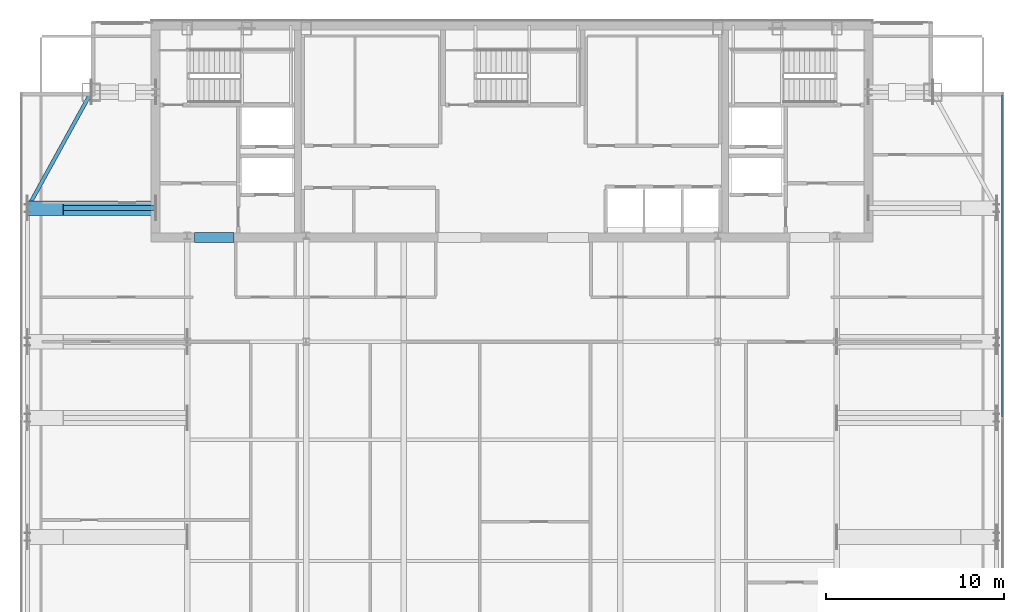
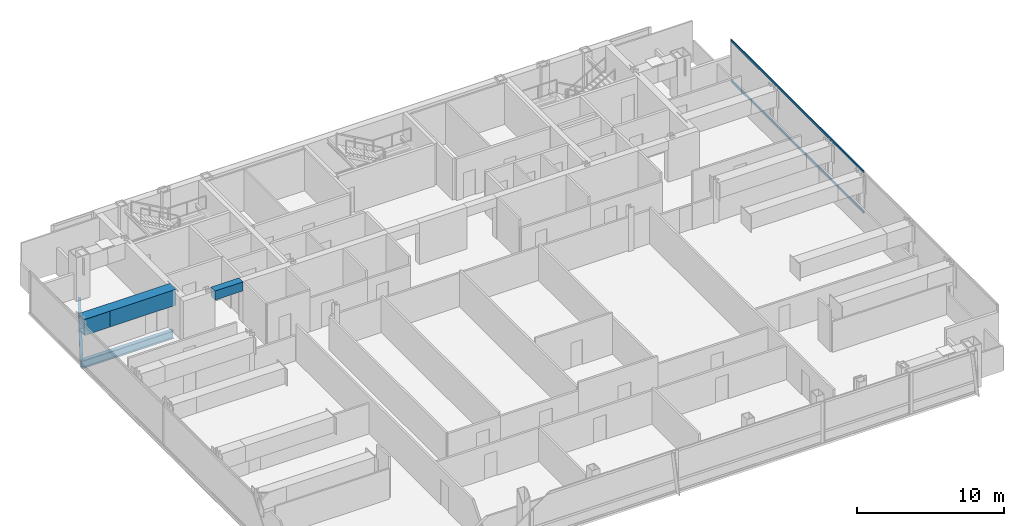
# One storey, part 16 of 26: 5 beams, 2 members, 1 element without a shape of its own.
"""IFC4 building model written with IfcOpenShell, lengths in metres."""

from ifc_helpers import new_model, si_unit, direction, frame, origin, origin_2d, place, context, subcontext, project, spatial, rectangle, hollow_rectangle, i_section, extrude, material, material_profile, profile_set, type_object, element, aggregate, save


model = new_model("IFC4")

# Units and contexts
model_context = context("Model", 3, precision=1e-05, world=origin(), true_north=direction((0.0, 1.0)))
body_context = subcontext(model_context, "Body", "Model", "MODEL_VIEW")
ifc_project = project(units=[si_unit("LENGTHUNIT", "METRE"), si_unit("AREAUNIT", "SQUARE_METRE"), si_unit("VOLUMEUNIT", "CUBIC_METRE"), si_unit("PLANEANGLEUNIT", "RADIAN"), si_unit("MASSUNIT", "GRAM", prefix="KILO")], contexts=[model_context])

# Site, building, storey
site_placement = place(None, origin())
site = spatial("IfcSite", under=ifc_project, at=site_placement, CompositionType="ELEMENT")
building_placement = place(site_placement, origin())
building = spatial("IfcBuilding", under=site, at=building_placement, Name="Khoronbel Lancet Exchange", CompositionType="ELEMENT")
storey_placement = place(building_placement, frame((0.0, 0.0, 287.800048828125)))
storey = spatial("IfcBuildingStorey", under=building, at=storey_placement, Name="L74", CompositionType="ELEMENT", Elevation=287.800048828125)

# Beams
ifc_material_1 = material(Name="Steel S355", Category="steel")
ifc_material_profile_1 = material_profile(ifc_material_1, i_section(OverallWidth=0.300048828125, OverallDepth=0.64990234375, WebThickness=0.01611328125, FlangeThickness=0.031005859375, at=origin_2d()), Name="HEB 650")
ifc_profile_set_1 = profile_set([ifc_material_profile_1], Name="Steel S355")
beam_type_1 = type_object("IfcBeamType", Name="BM-BG4", PredefinedType="BEAM", material=ifc_profile_set_1)
beam_1_placement = place(storey_placement, frame((9.27001953125, 43.199951171875, -0.485107421875), z_axis=(1.0, 0.0, 0.0), x_axis=(0.0, 1.0, 0.0)))
element("IfcBeam", 1, at=beam_1_placement, inside=storey, type_object=beam_type_1, Name="Level L74 west lens tie girder LG3W", PredefinedType="BEAM", context=body_context, shape_type="SweptSolid", body=[
    extrude(i_section(OverallWidth=0.300048828125, OverallDepth=0.64990234375, WebThickness=0.01611328125, FlangeThickness=0.031005859375, at=origin_2d()), origin(), (0.0, 0.0, 1.0), 7.179931640625),
])
ifc_material_2 = material(Name="Concrete C60/75", Category="concrete")
ifc_material_profile_2 = material_profile(ifc_material_2, rectangle(XDim=0.550048828125, YDim=0.75, at=origin_2d()), Name="RC 550x750")
ifc_profile_set_2 = profile_set([ifc_material_profile_2], Name="Concrete C60/75")
beam_type_2 = type_object("IfcBeamType", Name="BM-BL2", PredefinedType="LINTEL", material=ifc_profile_set_2)
beam_2_placement = place(storey_placement, frame((18.64990234375, 41.550048828125, 3.06494140625), z_axis=(1.0, 0.0, 0.0), x_axis=(0.0, 1.0, 0.0)))
element("IfcBeam", 2, at=beam_2_placement, inside=storey, type_object=beam_type_2, Name="Level L74 rear core coupling lintel L1", PredefinedType="LINTEL", context=body_context, shape_type="SweptSolid", body=[
    extrude(rectangle(XDim=0.550048828125, YDim=0.75, at=origin_2d()), origin(), (0.0, 0.0, 1.0), 2.2001953125),
])
ifc_material_profile_3 = material_profile(ifc_material_1, i_section(OverallWidth=0.2099609375, OverallDepth=0.550048828125, WebThickness=0.010986328125, FlangeThickness=0.01708984375, at=origin_2d()), Name="IPE 550")
ifc_profile_set_3 = profile_set([ifc_material_profile_3], Name="Steel S355")
beam_type_3 = type_object("IfcBeamType", Name="BM-BSP3", PredefinedType="SPANDREL", material=ifc_profile_set_3)
beam_3_placement = place(storey_placement, frame((12.85009765625, 49.699951171875, -0.43505859375), z_axis=(-0.482444051088, -0.875926787791, 0.0), x_axis=(0.875926787791, -0.482444051088, 0.0)))
element("IfcBeam", 3, at=beam_3_placement, inside=storey, type_object=beam_type_3, Name="Level L74 perimeter spandrel beam SP16", PredefinedType="SPANDREL", context=body_context, shape_type="SweptSolid", body=[
    extrude(i_section(OverallWidth=0.2099609375, OverallDepth=0.550048828125, WebThickness=0.010986328125, FlangeThickness=0.01708984375, at=origin_2d()), origin(), (0.0, 0.0, 1.0), 7.420654296875),
])
ifc_material_3 = material(Name="Steel S460", Category="steel")
ifc_material_profile_4 = material_profile(ifc_material_3, hollow_rectangle(XDim=0.820068359375, YDim=1.320068359375, WallThickness=0.070068359375, at=origin_2d()), Name="BOX 820x1320x70")
ifc_profile_set_4 = profile_set([ifc_material_profile_4], Name="Steel S460")
beam_type_4 = type_object("IfcBeamType", Name="BM-TG4", PredefinedType="USERDEFINED", material=ifc_profile_set_4)
beam_4_placement = place(storey_placement, frame((9.27001953125, 43.199951171875, 2.760009765625), z_axis=(0.99994990606, 0.0, 0.010009264196), x_axis=(0.0, 1.0, 0.0)))
element("IfcBeam", 4, at=beam_4_placement, inside=storey, type_object=beam_type_4, Name="Setback transfer knee-brace girder L74-WC-4", ObjectType="TRANSFER GIRDER", PredefinedType="USERDEFINED", context=body_context, shape_type="SweptSolid", body=[
    extrude(hollow_rectangle(XDim=0.820068359375, YDim=1.320068359375, WallThickness=0.070068359375, at=origin_2d()), origin(), (0.0, 0.0, 1.0), 2.0),
])
beam_5_placement = place(storey_placement, frame((9.27001953125, 43.199951171875, 2.780029296875), z_axis=(1.0, 0.0, 0.0), x_axis=(0.0, 1.0, 0.0)))
element("IfcBeam", 5, at=beam_5_placement, inside=storey, type_object=beam_type_4, Name="Lens setback S460 transfer girder L74-W5", ObjectType="TRANSFER GIRDER", PredefinedType="USERDEFINED", context=body_context, shape_type="SweptSolid", body=[
    extrude(hollow_rectangle(XDim=0.820068359375, YDim=1.320068359375, WallThickness=0.070068359375, at=origin_2d()), origin(), (0.0, 0.0, 1.0), 7.179931640625),
])

# Curtain wall, members
ifc_material_4 = material(Name="Low-E Solar Control Insulating Glass", Category="glass")
curtain_wall_type = type_object("IfcCurtainWallType", Name="CW-4", PredefinedType="NOTDEFINED", material=ifc_material_4)
curtain_wall_placement = place(storey_placement, origin())
curtain_wall = element("IfcCurtainWall", 6, at=curtain_wall_placement, inside=storey, type_object=curtain_wall_type, Name="Unitised curtain wall CW-L74-E09", PredefinedType="NOTDEFINED")
ifc_material_5 = material(Name="Bronze-Anodised Aluminium 6063-T6", Category="aluminium")
ifc_material_profile_5 = material_profile(ifc_material_5, hollow_rectangle(XDim=0.0849609375, YDim=0.179931640625, WallThickness=0.0048828125, at=origin_2d()), Name="ALU TRANSOM 85x180")
ifc_profile_set_5 = profile_set([ifc_material_profile_5], Name="Bronze-Anodised Aluminium 6063-T6")
member_type = type_object("IfcMemberType", Name="MEM-CWT1", PredefinedType="USERDEFINED", material=ifc_profile_set_5)
member_1_placement = place(storey_placement, frame((63.9599609375, 49.534912109375, 0.04248046875), z_axis=(0.0, -1.0, 0.0), x_axis=(1.0, 0.0, 0.0)))
member_1 = element("IfcMember", 7, at=member_1_placement, type_object=member_type, Name="CW4 transom 1.1", ObjectType="TRANSOM", PredefinedType="USERDEFINED", context=body_context, shape_type="SweptSolid", body=[
    extrude(hollow_rectangle(XDim=0.0849609375, YDim=0.179931640625, WallThickness=0.0048828125, at=origin_2d()), origin(), (0.0, 0.0, 1.0), 18.04736328125),
])
member_2_placement = place(storey_placement, frame((63.9599609375, 49.534912109375, 3.3974609375), z_axis=(0.0, -1.0, 0.0), x_axis=(1.0, 0.0, 0.0)))
member_2 = element("IfcMember", 8, at=member_2_placement, type_object=member_type, Name="CW4 transom 1.2", ObjectType="TRANSOM", PredefinedType="USERDEFINED", context=body_context, shape_type="SweptSolid", body=[
    extrude(hollow_rectangle(XDim=0.0849609375, YDim=0.179931640625, WallThickness=0.0048828125, at=origin_2d()), origin(), (0.0, 0.0, 1.0), 18.04736328125),
])
aggregate(curtain_wall, [member_1, member_2])

save(model, "model.ifc")
